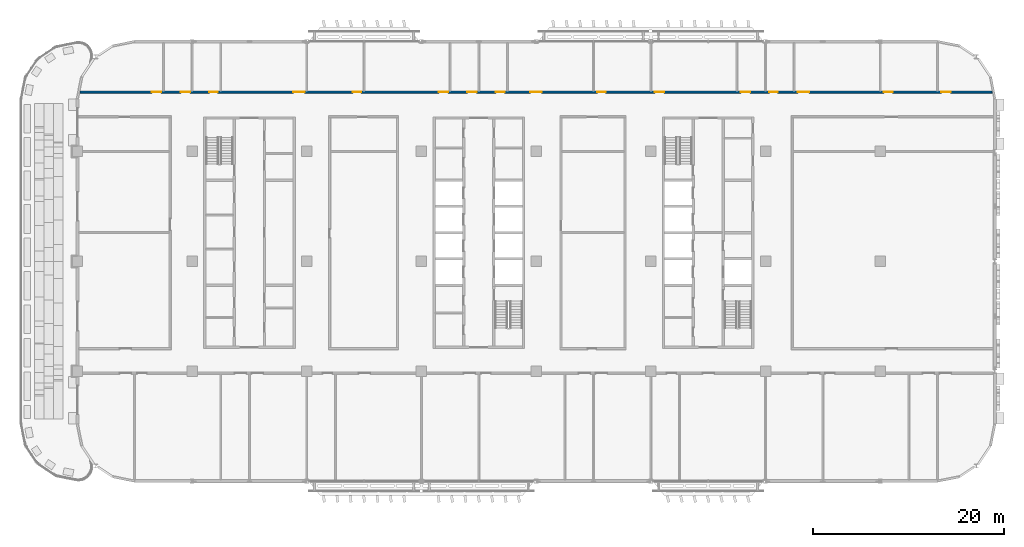
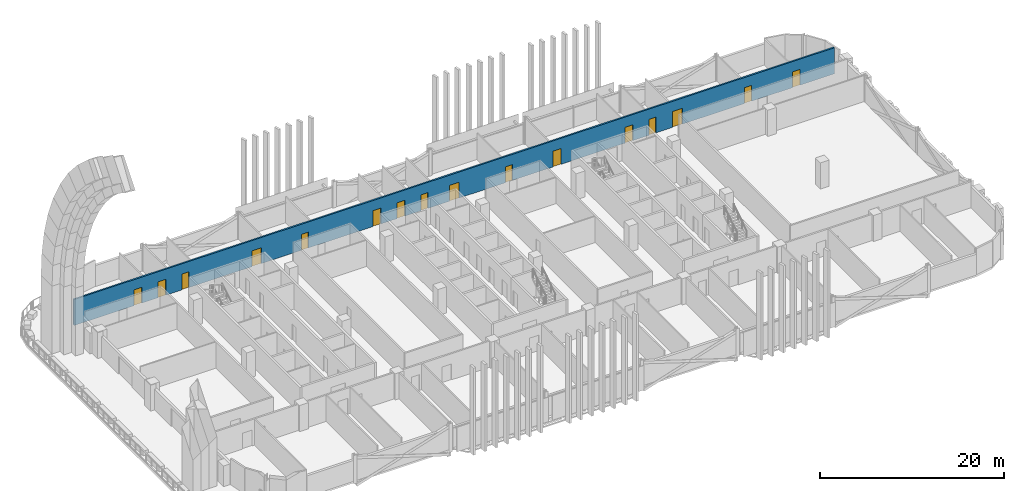
# One storey, part 12 of 28: 16 doors, 1 wall, 16 openings.
"""IFC4 building model written with IfcOpenShell, lengths in metres."""

from ifc_helpers import new_model, si_unit, direction, frame, frame_2d, origin, place, context, subcontext, project, spatial, rectangle, extrude, material, layer, layer_set, type_object, element, fill, save


model = new_model("IFC4")

# Units and contexts
model_context = context("Model", 3, precision=1e-05, world=origin(), true_north=direction((0.0, 1.0)))
body_context = subcontext(model_context, "Body", "Model", "MODEL_VIEW")
ifc_project = project(units=[si_unit("LENGTHUNIT", "METRE"), si_unit("AREAUNIT", "SQUARE_METRE"), si_unit("VOLUMEUNIT", "CUBIC_METRE"), si_unit("PLANEANGLEUNIT", "RADIAN"), si_unit("MASSUNIT", "GRAM", prefix="KILO")], contexts=[model_context])

# Site, building, storey
site_placement = place(None, origin())
site = spatial("IfcSite", under=ifc_project, at=site_placement, CompositionType="ELEMENT")
building_placement = place(site_placement, origin())
building = spatial("IfcBuilding", under=site, at=building_placement, Name="Mahtab Terrace Research Tower", CompositionType="ELEMENT")
storey_placement = place(building_placement, frame((0.0, 0.0, 193.89990234375)))
storey = spatial("IfcBuildingStorey", under=building, at=storey_placement, Name="L46", CompositionType="ELEMENT", Elevation=193.89990234375)

# Wall, openings, doors
ifc_material_1 = material(Name="Gypsum board corridor wall on steel studs", Category="steel")
ifc_layer = layer(ifc_material_1, 0.199951171875)
ifc_layer_set = layer_set([ifc_layer], Name="WALL CORRIDOR 200")
wall_type = type_object("IfcWallType", Name="WALL CORRIDOR 200", PredefinedType="PARTITIONING", material=ifc_layer_set)
wall_placement = place(storey_placement, frame((-41.707763671875, 17.699951171875, 0.0), z_axis=(0.0, 0.0, 1.0), x_axis=(1.0, 0.0, 0.0)))
wall = element("IfcWall", 1, at=wall_placement, inside=storey, type_object=wall_type, Name="L46-W024", PredefinedType="PARTITIONING", context=body_context, shape_type="SweptSolid", body=[
    extrude(rectangle(XDim=95.41552734375, YDim=0.199951171875, at=frame_2d((47.707763671875, 0.0))), origin(), (0.0, 0.0, 1.0), 3.460205078125),
])
opening_1_placement = place(wall_placement, frame((7.5, 0.0, 0.0)))
opening_1 = element("IfcOpeningElement", 2, at=opening_1_placement, cuts=wall, Name="Opening L46-127", PredefinedType="OPENING", context=body_context, shape_type="SweptSolid", body=[
    extrude(rectangle(XDim=1.0, YDim=2.10009765625, at=frame_2d((0.5, 1.050048828125))), frame((0.0, 0.10986328125, 0.0), z_axis=(0.0, -1.0, 0.0), x_axis=(1.0, 0.0, 0.0)), (0.0, 0.0, 1.0), 0.219970703125),
])
opening_2_placement = place(wall_placement, frame((10.5, 0.0, 0.0)))
opening_2 = element("IfcOpeningElement", 3, at=opening_2_placement, cuts=wall, Name="Opening L46-128", PredefinedType="OPENING", context=body_context, shape_type="SweptSolid", body=[
    extrude(rectangle(XDim=1.0, YDim=2.10009765625, at=frame_2d((0.5, 1.050048828125))), frame((0.0, 0.10986328125, 0.0), z_axis=(0.0, -1.0, 0.0), x_axis=(1.0, 0.0, 0.0)), (0.0, 0.0, 1.0), 0.219970703125),
])
opening_3_placement = place(wall_placement, frame((13.5, 0.0, 0.0)))
opening_3 = element("IfcOpeningElement", 4, at=opening_3_placement, cuts=wall, Name="Opening L46-129", PredefinedType="OPENING", context=body_context, shape_type="SweptSolid", body=[
    extrude(rectangle(XDim=0.89990234375, YDim=2.10009765625, at=frame_2d((0.449951171875, 1.050048828125))), frame((0.0, 0.10986328125, 0.0), z_axis=(0.0, -1.0, 0.0), x_axis=(1.0, 0.0, 0.0)), (0.0, 0.0, 1.0), 0.219970703125),
])
opening_4_placement = place(wall_placement, frame((22.300048828125, 0.0, 0.0)))
opening_4 = element("IfcOpeningElement", 5, at=opening_4_placement, cuts=wall, Name="Opening L46-130", PredefinedType="OPENING", context=body_context, shape_type="SweptSolid", body=[
    extrude(rectangle(XDim=1.199951171875, YDim=2.10009765625, at=frame_2d((0.60009765625, 1.050048828125))), frame((0.0, 0.10986328125, 0.0), z_axis=(0.0, -1.0, 0.0), x_axis=(1.0, 0.0, 0.0)), (0.0, 0.0, 1.0), 0.219970703125),
])
opening_5_placement = place(wall_placement, frame((28.5, 0.0, 0.0)))
opening_5 = element("IfcOpeningElement", 6, at=opening_5_placement, cuts=wall, Name="Opening L46-131", PredefinedType="OPENING", context=body_context, shape_type="SweptSolid", body=[
    extrude(rectangle(XDim=0.89990234375, YDim=2.10009765625, at=frame_2d((0.449951171875, 1.050048828125))), frame((0.0, 0.10986328125, 0.0), z_axis=(0.0, -1.0, 0.0), x_axis=(1.0, 0.0, 0.0)), (0.0, 0.0, 1.0), 0.219970703125),
])
opening_6_placement = place(wall_placement, frame((37.5, 0.0, 0.0)))
opening_6 = element("IfcOpeningElement", 7, at=opening_6_placement, cuts=wall, Name="Opening L46-132", PredefinedType="OPENING", context=body_context, shape_type="SweptSolid", body=[
    extrude(rectangle(XDim=1.0, YDim=2.10009765625, at=frame_2d((0.5, 1.050048828125))), frame((0.0, 0.10986328125, 0.0), z_axis=(0.0, -1.0, 0.0), x_axis=(1.0, 0.0, 0.0)), (0.0, 0.0, 1.0), 0.219970703125),
])
opening_7_placement = place(wall_placement, frame((40.5, 0.0, 0.0)))
opening_7 = element("IfcOpeningElement", 8, at=opening_7_placement, cuts=wall, Name="Opening L46-133", PredefinedType="OPENING", context=body_context, shape_type="SweptSolid", body=[
    extrude(rectangle(XDim=1.0, YDim=2.10009765625, at=frame_2d((0.5, 1.050048828125))), frame((0.0, 0.10986328125, 0.0), z_axis=(0.0, -1.0, 0.0), x_axis=(1.0, 0.0, 0.0)), (0.0, 0.0, 1.0), 0.219970703125),
])
opening_8_placement = place(wall_placement, frame((43.5, 0.0, 0.0)))
opening_8 = element("IfcOpeningElement", 9, at=opening_8_placement, cuts=wall, Name="Opening L46-134", PredefinedType="OPENING", context=body_context, shape_type="SweptSolid", body=[
    extrude(rectangle(XDim=0.89990234375, YDim=2.10009765625, at=frame_2d((0.449951171875, 1.050048828125))), frame((0.0, 0.10986328125, 0.0), z_axis=(0.0, -1.0, 0.0), x_axis=(1.0, 0.0, 0.0)), (0.0, 0.0, 1.0), 0.219970703125),
])
opening_9_placement = place(wall_placement, frame((47.10009765625, 0.0, 0.0)))
opening_9 = element("IfcOpeningElement", 10, at=opening_9_placement, cuts=wall, Name="Opening L46-135", PredefinedType="OPENING", context=body_context, shape_type="SweptSolid", body=[
    extrude(rectangle(XDim=1.199951171875, YDim=2.10009765625, at=frame_2d((0.60009765625, 1.050048828125))), frame((0.0, 0.10986328125, 0.0), z_axis=(0.0, -1.0, 0.0), x_axis=(1.0, 0.0, 0.0)), (0.0, 0.0, 1.0), 0.219970703125),
])
opening_10_placement = place(wall_placement, frame((54.10009765625, 0.0, 0.0)))
opening_10 = element("IfcOpeningElement", 11, at=opening_10_placement, cuts=wall, Name="Opening L46-136", PredefinedType="OPENING", context=body_context, shape_type="SweptSolid", body=[
    extrude(rectangle(XDim=0.89990234375, YDim=2.10009765625, at=frame_2d((0.449951171875, 1.050048828125))), frame((0.0, 0.10986328125, 0.0), z_axis=(0.0, -1.0, 0.0), x_axis=(1.0, 0.0, 0.0)), (0.0, 0.0, 1.0), 0.219970703125),
])
opening_11_placement = place(wall_placement, frame((60.10009765625, 0.0, 0.0)))
opening_11 = element("IfcOpeningElement", 12, at=opening_11_placement, cuts=wall, Name="Opening L46-137", PredefinedType="OPENING", context=body_context, shape_type="SweptSolid", body=[
    extrude(rectangle(XDim=1.0, YDim=2.10009765625, at=frame_2d((0.5, 1.050048828125))), frame((0.0, 0.10986328125, 0.0), z_axis=(0.0, -1.0, 0.0), x_axis=(1.0, 0.0, 0.0)), (0.0, 0.0, 1.0), 0.219970703125),
])
opening_12_placement = place(wall_placement, frame((69.10009765625, 0.0, 0.0)))
opening_12 = element("IfcOpeningElement", 13, at=opening_12_placement, cuts=wall, Name="Opening L46-138", PredefinedType="OPENING", context=body_context, shape_type="SweptSolid", body=[
    extrude(rectangle(XDim=1.0, YDim=2.10009765625, at=frame_2d((0.5, 1.050048828125))), frame((0.0, 0.10986328125, 0.0), z_axis=(0.0, -1.0, 0.0), x_axis=(1.0, 0.0, 0.0)), (0.0, 0.0, 1.0), 0.219970703125),
])
opening_13_placement = place(wall_placement, frame((72.10009765625, 0.0, 0.0)))
opening_13 = element("IfcOpeningElement", 14, at=opening_13_placement, cuts=wall, Name="Opening L46-139", PredefinedType="OPENING", context=body_context, shape_type="SweptSolid", body=[
    extrude(rectangle(XDim=0.89990234375, YDim=2.10009765625, at=frame_2d((0.449951171875, 1.050048828125))), frame((0.0, 0.10986328125, 0.0), z_axis=(0.0, -1.0, 0.0), x_axis=(1.0, 0.0, 0.0)), (0.0, 0.0, 1.0), 0.219970703125),
])
opening_14_placement = place(wall_placement, frame((75.10009765625, 0.0, 0.0)))
opening_14 = element("IfcOpeningElement", 15, at=opening_14_placement, cuts=wall, Name="Opening L46-140", PredefinedType="OPENING", context=body_context, shape_type="SweptSolid", body=[
    extrude(rectangle(XDim=1.199951171875, YDim=2.10009765625, at=frame_2d((0.60009765625, 1.050048828125))), frame((0.0, 0.10986328125, 0.0), z_axis=(0.0, -1.0, 0.0), x_axis=(1.0, 0.0, 0.0)), (0.0, 0.0, 1.0), 0.219970703125),
])
opening_15_placement = place(wall_placement, frame((84.10009765625, 0.0, 0.0)))
opening_15 = element("IfcOpeningElement", 16, at=opening_15_placement, cuts=wall, Name="Opening L46-141", PredefinedType="OPENING", context=body_context, shape_type="SweptSolid", body=[
    extrude(rectangle(XDim=0.89990234375, YDim=2.10009765625, at=frame_2d((0.449951171875, 1.050048828125))), frame((0.0, 0.10986328125, 0.0), z_axis=(0.0, -1.0, 0.0), x_axis=(1.0, 0.0, 0.0)), (0.0, 0.0, 1.0), 0.219970703125),
])
opening_16_placement = place(wall_placement, frame((90.10009765625, 0.0, 0.0)))
opening_16 = element("IfcOpeningElement", 17, at=opening_16_placement, cuts=wall, Name="Opening L46-142", PredefinedType="OPENING", context=body_context, shape_type="SweptSolid", body=[
    extrude(rectangle(XDim=1.0, YDim=2.10009765625, at=frame_2d((0.5, 1.050048828125))), frame((0.0, 0.10986328125, 0.0), z_axis=(0.0, -1.0, 0.0), x_axis=(1.0, 0.0, 0.0)), (0.0, 0.0, 1.0), 0.219970703125),
])
ifc_material_2 = material(Name="Timber door leaf in steel frame", Category="steel")
door_type_1 = type_object("IfcDoorType", Name="DOOR 0900X2100 FD30S", OperationType="SINGLE_SWING_LEFT", PredefinedType="DOOR", material=ifc_material_2)
door_1_placement = place(opening_3_placement, origin())
door_1 = element("IfcDoor", 18, at=door_1_placement, inside=storey, type_object=door_type_1, Name="Door L46-129", OperationType="SINGLE_SWING_LEFT", OverallHeight=2.10009765625, OverallWidth=0.89990234375, PredefinedType="DOOR", context=body_context, shape_type="SweptSolid", body=[
    extrude(rectangle(XDim=0.89990234375, YDim=2.10009765625, at=frame_2d((0.449951171875, 1.050048828125))), frame((0.0, 0.02490234375, 0.0), z_axis=(0.0, -1.0, 0.0), x_axis=(1.0, 0.0, 0.0)), (0.0, 0.0, 1.0), 0.050048828125),
])
fill(opening_3, door_1)
door_2_placement = place(opening_5_placement, origin())
door_2 = element("IfcDoor", 19, at=door_2_placement, inside=storey, type_object=door_type_1, Name="Door L46-131", OperationType="SINGLE_SWING_LEFT", OverallHeight=2.10009765625, OverallWidth=0.89990234375, PredefinedType="DOOR", context=body_context, shape_type="SweptSolid", body=[
    extrude(rectangle(XDim=0.89990234375, YDim=2.10009765625, at=frame_2d((0.449951171875, 1.050048828125))), frame((0.0, 0.02490234375, 0.0), z_axis=(0.0, -1.0, 0.0), x_axis=(1.0, 0.0, 0.0)), (0.0, 0.0, 1.0), 0.050048828125),
])
fill(opening_5, door_2)
door_3_placement = place(opening_8_placement, origin())
door_3 = element("IfcDoor", 20, at=door_3_placement, inside=storey, type_object=door_type_1, Name="Door L46-134", OperationType="SINGLE_SWING_LEFT", OverallHeight=2.10009765625, OverallWidth=0.89990234375, PredefinedType="DOOR", context=body_context, shape_type="SweptSolid", body=[
    extrude(rectangle(XDim=0.89990234375, YDim=2.10009765625, at=frame_2d((0.449951171875, 1.050048828125))), frame((0.0, 0.02490234375, 0.0), z_axis=(0.0, -1.0, 0.0), x_axis=(1.0, 0.0, 0.0)), (0.0, 0.0, 1.0), 0.050048828125),
])
fill(opening_8, door_3)
door_4_placement = place(opening_10_placement, origin())
door_4 = element("IfcDoor", 21, at=door_4_placement, inside=storey, type_object=door_type_1, Name="Door L46-136", OperationType="SINGLE_SWING_RIGHT", OverallHeight=2.10009765625, OverallWidth=0.89990234375, PredefinedType="DOOR", context=body_context, shape_type="SweptSolid", body=[
    extrude(rectangle(XDim=0.89990234375, YDim=2.10009765625, at=frame_2d((0.449951171875, 1.050048828125))), frame((0.0, 0.02490234375, 0.0), z_axis=(0.0, -1.0, 0.0), x_axis=(1.0, 0.0, 0.0)), (0.0, 0.0, 1.0), 0.050048828125),
])
fill(opening_10, door_4)
door_5_placement = place(opening_13_placement, origin())
door_5 = element("IfcDoor", 22, at=door_5_placement, inside=storey, type_object=door_type_1, Name="Door L46-139", OperationType="SINGLE_SWING_RIGHT", OverallHeight=2.10009765625, OverallWidth=0.89990234375, PredefinedType="DOOR", context=body_context, shape_type="SweptSolid", body=[
    extrude(rectangle(XDim=0.89990234375, YDim=2.10009765625, at=frame_2d((0.449951171875, 1.050048828125))), frame((0.0, 0.02490234375, 0.0), z_axis=(0.0, -1.0, 0.0), x_axis=(1.0, 0.0, 0.0)), (0.0, 0.0, 1.0), 0.050048828125),
])
fill(opening_13, door_5)
door_6_placement = place(opening_15_placement, origin())
door_6 = element("IfcDoor", 23, at=door_6_placement, inside=storey, type_object=door_type_1, Name="Door L46-141", OperationType="SINGLE_SWING_RIGHT", OverallHeight=2.10009765625, OverallWidth=0.89990234375, PredefinedType="DOOR", context=body_context, shape_type="SweptSolid", body=[
    extrude(rectangle(XDim=0.89990234375, YDim=2.10009765625, at=frame_2d((0.449951171875, 1.050048828125))), frame((0.0, 0.02490234375, 0.0), z_axis=(0.0, -1.0, 0.0), x_axis=(1.0, 0.0, 0.0)), (0.0, 0.0, 1.0), 0.050048828125),
])
fill(opening_15, door_6)
door_type_2 = type_object("IfcDoorType", Name="DOOR 1000X2100 FD30S", OperationType="SINGLE_SWING_LEFT", PredefinedType="DOOR", material=ifc_material_2)
door_7_placement = place(opening_1_placement, origin())
door_7 = element("IfcDoor", 24, at=door_7_placement, inside=storey, type_object=door_type_2, Name="Door L46-127", OperationType="SINGLE_SWING_LEFT", OverallHeight=2.10009765625, OverallWidth=1.0, PredefinedType="DOOR", context=body_context, shape_type="SweptSolid", body=[
    extrude(rectangle(XDim=1.0, YDim=2.10009765625, at=frame_2d((0.5, 1.050048828125))), frame((0.0, 0.02490234375, 0.0), z_axis=(0.0, -1.0, 0.0), x_axis=(1.0, 0.0, 0.0)), (0.0, 0.0, 1.0), 0.050048828125),
])
fill(opening_1, door_7)
door_8_placement = place(opening_2_placement, origin())
door_8 = element("IfcDoor", 25, at=door_8_placement, inside=storey, type_object=door_type_2, Name="Door L46-128", OperationType="SINGLE_SWING_LEFT", OverallHeight=2.10009765625, OverallWidth=1.0, PredefinedType="DOOR", context=body_context, shape_type="SweptSolid", body=[
    extrude(rectangle(XDim=1.0, YDim=2.10009765625, at=frame_2d((0.5, 1.050048828125))), frame((0.0, 0.02490234375, 0.0), z_axis=(0.0, -1.0, 0.0), x_axis=(1.0, 0.0, 0.0)), (0.0, 0.0, 1.0), 0.050048828125),
])
fill(opening_2, door_8)
door_9_placement = place(opening_6_placement, origin())
door_9 = element("IfcDoor", 26, at=door_9_placement, inside=storey, type_object=door_type_2, Name="Door L46-132", OperationType="SINGLE_SWING_LEFT", OverallHeight=2.10009765625, OverallWidth=1.0, PredefinedType="DOOR", context=body_context, shape_type="SweptSolid", body=[
    extrude(rectangle(XDim=1.0, YDim=2.10009765625, at=frame_2d((0.5, 1.050048828125))), frame((0.0, 0.02490234375, 0.0), z_axis=(0.0, -1.0, 0.0), x_axis=(1.0, 0.0, 0.0)), (0.0, 0.0, 1.0), 0.050048828125),
])
fill(opening_6, door_9)
door_10_placement = place(opening_7_placement, origin())
door_10 = element("IfcDoor", 27, at=door_10_placement, inside=storey, type_object=door_type_2, Name="Door L46-133", OperationType="SINGLE_SWING_LEFT", OverallHeight=2.10009765625, OverallWidth=1.0, PredefinedType="DOOR", context=body_context, shape_type="SweptSolid", body=[
    extrude(rectangle(XDim=1.0, YDim=2.10009765625, at=frame_2d((0.5, 1.050048828125))), frame((0.0, 0.02490234375, 0.0), z_axis=(0.0, -1.0, 0.0), x_axis=(1.0, 0.0, 0.0)), (0.0, 0.0, 1.0), 0.050048828125),
])
fill(opening_7, door_10)
door_11_placement = place(opening_11_placement, origin())
door_11 = element("IfcDoor", 28, at=door_11_placement, inside=storey, type_object=door_type_2, Name="Door L46-137", OperationType="SINGLE_SWING_RIGHT", OverallHeight=2.10009765625, OverallWidth=1.0, PredefinedType="DOOR", context=body_context, shape_type="SweptSolid", body=[
    extrude(rectangle(XDim=1.0, YDim=2.10009765625, at=frame_2d((0.5, 1.050048828125))), frame((0.0, 0.02490234375, 0.0), z_axis=(0.0, -1.0, 0.0), x_axis=(1.0, 0.0, 0.0)), (0.0, 0.0, 1.0), 0.050048828125),
])
fill(opening_11, door_11)
door_12_placement = place(opening_12_placement, origin())
door_12 = element("IfcDoor", 29, at=door_12_placement, inside=storey, type_object=door_type_2, Name="Door L46-138", OperationType="SINGLE_SWING_RIGHT", OverallHeight=2.10009765625, OverallWidth=1.0, PredefinedType="DOOR", context=body_context, shape_type="SweptSolid", body=[
    extrude(rectangle(XDim=1.0, YDim=2.10009765625, at=frame_2d((0.5, 1.050048828125))), frame((0.0, 0.02490234375, 0.0), z_axis=(0.0, -1.0, 0.0), x_axis=(1.0, 0.0, 0.0)), (0.0, 0.0, 1.0), 0.050048828125),
])
fill(opening_12, door_12)
door_13_placement = place(opening_16_placement, origin())
door_13 = element("IfcDoor", 30, at=door_13_placement, inside=storey, type_object=door_type_2, Name="Door L46-142", OperationType="SINGLE_SWING_RIGHT", OverallHeight=2.10009765625, OverallWidth=1.0, PredefinedType="DOOR", context=body_context, shape_type="SweptSolid", body=[
    extrude(rectangle(XDim=1.0, YDim=2.10009765625, at=frame_2d((0.5, 1.050048828125))), frame((0.0, 0.02490234375, 0.0), z_axis=(0.0, -1.0, 0.0), x_axis=(1.0, 0.0, 0.0)), (0.0, 0.0, 1.0), 0.050048828125),
])
fill(opening_16, door_13)
door_type_3 = type_object("IfcDoorType", Name="DOOR 1200X2100 FD30S", OperationType="SINGLE_SWING_LEFT", PredefinedType="DOOR", material=ifc_material_2)
door_14_placement = place(opening_4_placement, origin())
door_14 = element("IfcDoor", 31, at=door_14_placement, inside=storey, type_object=door_type_3, Name="Door L46-130", OperationType="SINGLE_SWING_LEFT", OverallHeight=2.10009765625, OverallWidth=1.199951171875, PredefinedType="DOOR", context=body_context, shape_type="SweptSolid", body=[
    extrude(rectangle(XDim=1.199951171875, YDim=2.10009765625, at=frame_2d((0.60009765625, 1.050048828125))), frame((0.0, 0.02490234375, 0.0), z_axis=(0.0, -1.0, 0.0), x_axis=(1.0, 0.0, 0.0)), (0.0, 0.0, 1.0), 0.050048828125),
])
fill(opening_4, door_14)
door_15_placement = place(opening_9_placement, origin())
door_15 = element("IfcDoor", 32, at=door_15_placement, inside=storey, type_object=door_type_3, Name="Door L46-135", OperationType="SINGLE_SWING_LEFT", OverallHeight=2.10009765625, OverallWidth=1.199951171875, PredefinedType="DOOR", context=body_context, shape_type="SweptSolid", body=[
    extrude(rectangle(XDim=1.199951171875, YDim=2.10009765625, at=frame_2d((0.60009765625, 1.050048828125))), frame((0.0, 0.02490234375, 0.0), z_axis=(0.0, -1.0, 0.0), x_axis=(1.0, 0.0, 0.0)), (0.0, 0.0, 1.0), 0.050048828125),
])
fill(opening_9, door_15)
door_16_placement = place(opening_14_placement, origin())
door_16 = element("IfcDoor", 33, at=door_16_placement, inside=storey, type_object=door_type_3, Name="Door L46-140", OperationType="SINGLE_SWING_RIGHT", OverallHeight=2.10009765625, OverallWidth=1.199951171875, PredefinedType="DOOR", context=body_context, shape_type="SweptSolid", body=[
    extrude(rectangle(XDim=1.199951171875, YDim=2.10009765625, at=frame_2d((0.60009765625, 1.050048828125))), frame((0.0, 0.02490234375, 0.0), z_axis=(0.0, -1.0, 0.0), x_axis=(1.0, 0.0, 0.0)), (0.0, 0.0, 1.0), 0.050048828125),
])
fill(opening_14, door_16)

save(model, "model.ifc")
